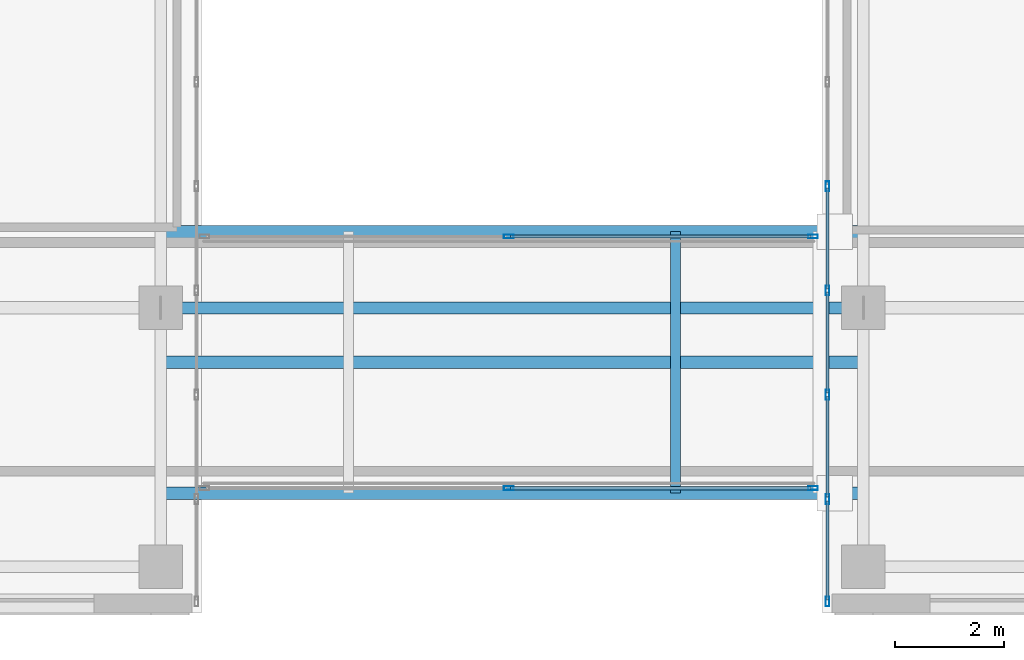
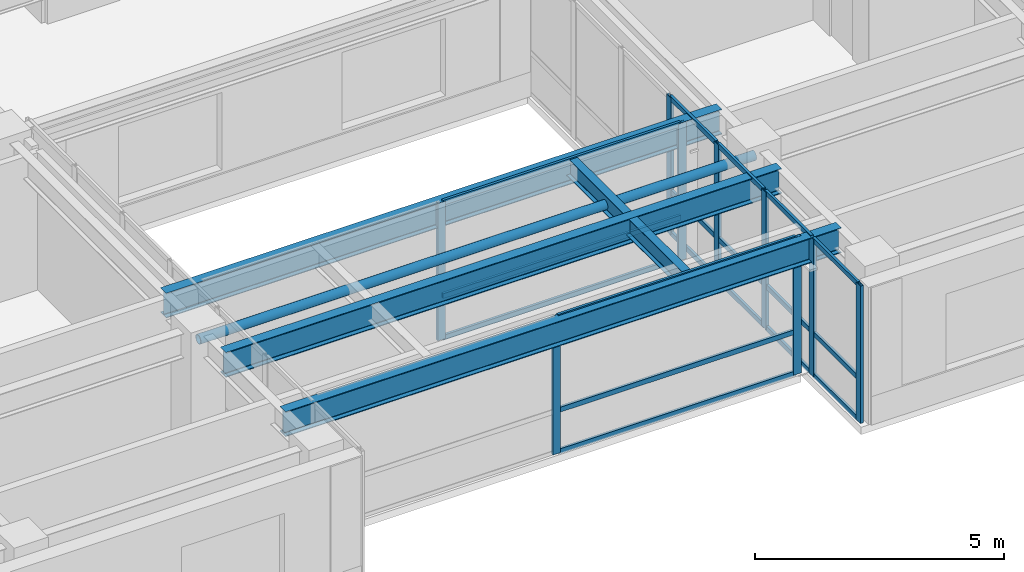
# One storey, part 4 of 26: 28 members, 4 beams, 3 elements without a shape of their own.
"""IFC4 building model written with IfcOpenShell, lengths in metres."""

from ifc_helpers import new_model, si_unit, direction, frame, origin, origin_2d, place, context, subcontext, project, spatial, hollow_rectangle, hollow_circle, i_section, extrude, source, transform, mapped, material, layer, layer_set, material_profile, profile_set, type_object, type_shapes, element, aggregate, save


model = new_model("IFC4")

# Units and contexts
model_context = context("Model", 3, precision=1e-05, world=origin(), true_north=direction((0.0, 1.0)))
body_context = subcontext(model_context, "Body", "Model", "MODEL_VIEW")
ifc_project = project(units=[si_unit("LENGTHUNIT", "METRE"), si_unit("AREAUNIT", "SQUARE_METRE"), si_unit("VOLUMEUNIT", "CUBIC_METRE"), si_unit("PLANEANGLEUNIT", "RADIAN"), si_unit("MASSUNIT", "GRAM", prefix="KILO")], contexts=[model_context])

# Site, building, storey
site_placement = place(None, origin())
site = spatial("IfcSite", under=ifc_project, at=site_placement, CompositionType="ELEMENT")
building_placement = place(site_placement, origin())
building = spatial("IfcBuilding", under=site, at=building_placement, Name="Tolvann Quenvar Hotel", CompositionType="ELEMENT")
storey_placement = place(building_placement, frame((0.0, 0.0, 168.35009765625)))
storey = spatial("IfcBuildingStorey", under=building, at=storey_placement, Name="L44", CompositionType="ELEMENT", Elevation=168.35009765625)

# Beams
ifc_material_1 = material(Name="Steel Grade 350", Category="steel")
ifc_material_profile_1 = material_profile(ifc_material_1, i_section(OverallWidth=0.22900390625, OverallDepth=0.612060546875, WebThickness=0.011962890625, FlangeThickness=0.01953125, FilletRadius=0.013916015625, at=origin_2d()), Name="610UB125")
ifc_profile_set_1 = profile_set([ifc_material_profile_1], Name="Steel Grade 350")
beam_type_1 = type_object("IfcBeamType", Name="BM_GIRD_610UB125", PredefinedType="BEAM", material=ifc_profile_set_1)
shared_shape_1 = source(origin(), body_context, "Body", "SweptSolid", [
    extrude(i_section(OverallWidth=0.22900390625, OverallDepth=0.612060546875, WebThickness=0.011962890625, FlangeThickness=0.01953125, FilletRadius=0.013916015625, at=origin_2d()), origin(), (0.0, 0.0, 1.0), 12.89990234375),
])
type_shapes(beam_type_1, [shared_shape_1])
for number, where, z_axis, x_axis, name in (
    (1, (22.050048828125, 4.800048828125, 3.06396484375), (1.0, 0.0, 0.0), (0.0, 1.0, 0.0), "Skybridge Longitudinal Support Girder (L45-S)"),
    (2, (22.050048828125, 9.60009765625, 3.06396484375), (1.0, 0.0, 0.0), (0.0, 1.0, 0.0), "Skybridge Longitudinal Support Girder (L45-N)"),
    (3, (22.050048828125, 7.199951171875, 3.06396484375), (1.0, 0.0, 0.0), (0.0, 1.0, 0.0), "Skybridge Central Support Girder (L45-M)"),
):
    element("IfcBeam", number, at=place(storey_placement, frame(where, z_axis=z_axis, x_axis=x_axis)), inside=storey, type_object=beam_type_1, Name=name, PredefinedType="BEAM", context=body_context, shape_type="MappedRepresentation", body=[
        mapped(shared_shape_1, transform((0.0, 0.0, 0.0), x_axis=(1.0, 0.0, 0.0), y_axis=(0.0, 1.0, 0.0), z_axis=(0.0, 0.0, 1.0), scale=1.0)),
    ])

# Member
ifc_material_2 = material(Name="Steel Grade 450 (C450L0)", Category="steel")
ifc_material_profile_2 = material_profile(ifc_material_2, hollow_circle(Radius=0.109619140625, WallThickness=0.00830078125, at=origin_2d()), Name="219.1x8.2CHS")
ifc_profile_set_2 = profile_set([ifc_material_profile_2], Name="Steel Grade 450 (C450L0)")
member_type_1 = type_object("IfcMemberType", Name="MEM_BRG_219CHS", PredefinedType="BRACE", material=ifc_profile_set_2)
shared_shape_2 = source(origin(), body_context, "Body", "SweptSolid", [
    extrude(hollow_circle(Radius=0.109619140625, WallThickness=0.00830078125, at=origin_2d()), origin(), (0.0, 0.0, 1.0), 12.89990234375),
])
type_shapes(member_type_1, [shared_shape_2])
member_1_placement = place(storey_placement, frame((22.050048828125, 8.199951171875, 3.02001953125), z_axis=(1.0, 0.0, 0.0), x_axis=(0.0, 1.0, 0.0)))
element("IfcMember", 4, at=member_1_placement, inside=storey, type_object=member_type_1, Name="Skybridge Tie Strut (L44)", PredefinedType="BRACE", context=body_context, shape_type="MappedRepresentation", body=[
    mapped(shared_shape_2, transform((0.0, 0.0, 0.0), x_axis=(1.0, 0.0, 0.0), y_axis=(0.0, 1.0, 0.0), z_axis=(0.0, 0.0, 1.0), scale=1.0)),
])

# Beam
ifc_material_profile_3 = material_profile(ifc_material_1, i_section(OverallWidth=0.18994140625, OverallDepth=0.4541015625, WebThickness=0.008544921875, FlangeThickness=0.0126953125, FilletRadius=0.011474609375, at=origin_2d()), Name="460UB67")
ifc_profile_set_3 = profile_set([ifc_material_profile_3], Name="Steel Grade 350")
beam_type_2 = type_object("IfcBeamType", Name="BM_JOIST_460UB67", PredefinedType="JOIST", material=ifc_profile_set_3)
shared_shape_3 = source(origin(), body_context, "Body", "SweptSolid", [
    extrude(i_section(OverallWidth=0.18994140625, OverallDepth=0.4541015625, WebThickness=0.008544921875, FlangeThickness=0.0126953125, FilletRadius=0.011474609375, at=origin_2d()), origin(), (0.0, 0.0, 1.0), 4.800048828125),
])
type_shapes(beam_type_2, [shared_shape_3])
beam_placement = place(storey_placement, frame((31.5, 4.800048828125, 3.142822265625), z_axis=(0.0, 1.0, 0.0), x_axis=(-1.0, 0.0, 0.0)))
element("IfcBeam", 5, at=beam_placement, inside=storey, type_object=beam_type_2, Name="Skybridge Transverse Diaphragm Beam E (L45)", PredefinedType="JOIST", context=body_context, shape_type="MappedRepresentation", body=[
    mapped(shared_shape_3, transform((0.0, 0.0, 0.0), x_axis=(1.0, 0.0, 0.0), y_axis=(0.0, 1.0, 0.0), z_axis=(0.0, 0.0, 1.0), scale=1.0)),
])

# Curtain wall, members
ifc_material_3 = material(Name="Thermally broken anodised architectural aluminium 6063-T6 and laminated low-E glass", Category="aluminium")
ifc_layer = layer(ifc_material_3, 0.179931640625)
ifc_layer_set = layer_set([ifc_layer], Name="Thermally broken anodised architectural aluminium 6063-T6 and laminated low-E glass")
curtain_wall_type = type_object("IfcCurtainWallType", Name="CW_SYS_SLOT_03", PredefinedType="USERDEFINED", material=ifc_layer_set)
curtain_wall_1_placement = place(storey_placement, origin())
curtain_wall_1 = element("IfcCurtainWall", 6, at=curtain_wall_1_placement, inside=storey, type_object=curtain_wall_type, Name="Curtain Wall CW-SLOT-03 (CWR-L44-E07)", ObjectType="UNITISED CURTAIN WALL", PredefinedType="USERDEFINED")
ifc_material_4 = material(Name="Anodised architectural aluminium 6063-T6 framing", Category="aluminium")
ifc_material_profile_4 = material_profile(ifc_material_4, hollow_rectangle(XDim=0.070068359375, YDim=0.179931640625, WallThickness=0.00390625, at=origin_2d()), Name="180x70x4RHS")
ifc_profile_set_4 = profile_set([ifc_material_profile_4], Name="Anodised architectural aluminium 6063-T6 framing")
member_type_2 = type_object("IfcMemberType", Name="CW_MULL_180x70", PredefinedType="MULLION", material=ifc_profile_set_4)
shared_shape_4 = source(origin(), body_context, "Body", "SweptSolid", [
    extrude(hollow_rectangle(XDim=0.070068359375, YDim=0.179931640625, WallThickness=0.00390625, at=origin_2d()), origin(), (0.0, 0.0, 1.0), 3.369873046875),
])
type_shapes(member_type_2, [shared_shape_4])
member_2_placement = place(storey_placement, frame((34.2900390625, 10.43212890625, 0.0), z_axis=(0.0, 0.0, 1.0), x_axis=(1.0, 0.0, 0.0)))
member_2 = element("IfcMember", 7, at=member_2_placement, type_object=member_type_2, Name="CW-SLOT-03 mullion 4", PredefinedType="MULLION", context=body_context, shape_type="MappedRepresentation", body=[
    mapped(shared_shape_4, transform((0.0, 0.0, 0.0), x_axis=(1.0, 0.0, 0.0), y_axis=(0.0, 1.0, 0.0), z_axis=(0.0, 0.0, 1.0), scale=1.0)),
])
member_3_placement = place(storey_placement, frame((34.2900390625, 8.517822265625, 0.0), z_axis=(0.0, 0.0, 1.0), x_axis=(1.0, 0.0, 0.0)))
member_3 = element("IfcMember", 8, at=member_3_placement, type_object=member_type_2, Name="CW-SLOT-03 mullion 5", PredefinedType="MULLION", context=body_context, shape_type="MappedRepresentation", body=[
    mapped(shared_shape_4, transform((0.0, 0.0, 0.0), x_axis=(1.0, 0.0, 0.0), y_axis=(0.0, 1.0, 0.0), z_axis=(0.0, 0.0, 1.0), scale=1.0)),
])
member_4_placement = place(storey_placement, frame((34.2900390625, 6.603515625, 0.0), z_axis=(0.0, 0.0, 1.0), x_axis=(1.0, 0.0, 0.0)))
member_4 = element("IfcMember", 9, at=member_4_placement, type_object=member_type_2, Name="CW-SLOT-03 mullion 6", PredefinedType="MULLION", context=body_context, shape_type="MappedRepresentation", body=[
    mapped(shared_shape_4, transform((0.0, 0.0, 0.0), x_axis=(1.0, 0.0, 0.0), y_axis=(0.0, 1.0, 0.0), z_axis=(0.0, 0.0, 1.0), scale=1.0)),
])
member_5_placement = place(storey_placement, frame((34.2900390625, 4.689208984375, 0.0), z_axis=(0.0, 0.0, 1.0), x_axis=(1.0, 0.0, 0.0)))
member_5 = element("IfcMember", 10, at=member_5_placement, type_object=member_type_2, Name="CW-SLOT-03 mullion 7", PredefinedType="MULLION", context=body_context, shape_type="MappedRepresentation", body=[
    mapped(shared_shape_4, transform((0.0, 0.0, 0.0), x_axis=(1.0, 0.0, 0.0), y_axis=(0.0, 1.0, 0.0), z_axis=(0.0, 0.0, 1.0), scale=1.0)),
])
member_6_placement = place(storey_placement, frame((34.2900390625, 2.81005859375, 0.0), z_axis=(0.0, 0.0, 1.0), x_axis=(1.0, 0.0, 0.0)))
member_6 = element("IfcMember", 11, at=member_6_placement, type_object=member_type_2, Name="CW-SLOT-03 mullion 8", PredefinedType="MULLION", context=body_context, shape_type="MappedRepresentation", body=[
    mapped(shared_shape_4, transform((0.0, 0.0, 0.0), x_axis=(1.0, 0.0, 0.0), y_axis=(0.0, 1.0, 0.0), z_axis=(0.0, 0.0, 1.0), scale=1.0)),
])

curtain_wall_2_placement = place(storey_placement, origin())
curtain_wall_2 = element("IfcCurtainWall", 12, at=curtain_wall_2_placement, inside=storey, type_object=curtain_wall_type, Name="Curtain Wall CW-SLOT-03 (CWR-BRG-L44-S)", ObjectType="UNITISED CURTAIN WALL", PredefinedType="USERDEFINED")
member_7_placement = place(storey_placement, frame((28.43994140625, 4.889892578125, 0.0), z_axis=(0.0, 0.0, 1.0), x_axis=(0.0, 1.0, 0.0)))
member_7 = element("IfcMember", 13, at=member_7_placement, type_object=member_type_2, Name="CW-SLOT-03 mullion 2", PredefinedType="MULLION", context=body_context, shape_type="MappedRepresentation", body=[
    mapped(shared_shape_4, transform((0.0, 0.0, 0.0), x_axis=(1.0, 0.0, 0.0), y_axis=(0.0, 1.0, 0.0), z_axis=(0.0, 0.0, 1.0), scale=1.0)),
])
member_8_placement = place(storey_placement, frame((34.02490234375, 4.889892578125, 0.0), z_axis=(0.0, 0.0, 1.0), x_axis=(0.0, 1.0, 0.0)))
member_8 = element("IfcMember", 14, at=member_8_placement, type_object=member_type_2, Name="CW-SLOT-03 mullion 3", PredefinedType="MULLION", context=body_context, shape_type="MappedRepresentation", body=[
    mapped(shared_shape_4, transform((0.0, 0.0, 0.0), x_axis=(1.0, 0.0, 0.0), y_axis=(0.0, 1.0, 0.0), z_axis=(0.0, 0.0, 1.0), scale=1.0)),
])

curtain_wall_3_placement = place(storey_placement, origin())
curtain_wall_3 = element("IfcCurtainWall", 15, at=curtain_wall_3_placement, inside=storey, type_object=curtain_wall_type, Name="Curtain Wall CW-SLOT-03 (CWR-BRG-L44-N)", ObjectType="UNITISED CURTAIN WALL", PredefinedType="USERDEFINED")
member_9_placement = place(storey_placement, frame((34.02490234375, 9.510009765625, 0.0), z_axis=(0.0, 0.0, 1.0), x_axis=(0.0, -1.0, 0.0)))
member_9 = element("IfcMember", 16, at=member_9_placement, type_object=member_type_2, Name="CW-SLOT-03 mullion 1", PredefinedType="MULLION", context=body_context, shape_type="MappedRepresentation", body=[
    mapped(shared_shape_4, transform((0.0, 0.0, 0.0), x_axis=(1.0, 0.0, 0.0), y_axis=(0.0, 1.0, 0.0), z_axis=(0.0, 0.0, 1.0), scale=1.0)),
])
member_10_placement = place(storey_placement, frame((28.43994140625, 9.510009765625, 0.0), z_axis=(0.0, 0.0, 1.0), x_axis=(0.0, -1.0, 0.0)))
member_10 = element("IfcMember", 17, at=member_10_placement, type_object=member_type_2, Name="CW-SLOT-03 mullion 2", PredefinedType="MULLION", context=body_context, shape_type="MappedRepresentation", body=[
    mapped(shared_shape_4, transform((0.0, 0.0, 0.0), x_axis=(1.0, 0.0, 0.0), y_axis=(0.0, 1.0, 0.0), z_axis=(0.0, 0.0, 1.0), scale=1.0)),
])

# Member
ifc_material_profile_5 = material_profile(ifc_material_4, hollow_rectangle(XDim=0.06005859375, YDim=0.1201171875, WallThickness=0.00341796875, at=origin_2d()), Name="120x60x3.5RHS")
ifc_profile_set_5 = profile_set([ifc_material_profile_5], Name="Anodised architectural aluminium 6063-T6 framing")
member_type_3 = type_object("IfcMemberType", Name="CW_TRAN_120x60", PredefinedType="USERDEFINED", material=ifc_profile_set_5)
shared_shape_5 = source(origin(), body_context, "Body", "SweptSolid", [
    extrude(hollow_rectangle(XDim=0.06005859375, YDim=0.1201171875, WallThickness=0.00341796875, at=origin_2d()), origin(), (0.0, 0.0, 1.0), 1.809326171875),
])
member_11_placement = place(storey_placement, frame((34.2900390625, 4.654296875, 0.02978515625), z_axis=(0.0, -1.0, 0.0), x_axis=(1.0, 0.0, 0.0)))
member_11 = element("IfcMember", 18, at=member_11_placement, type_object=member_type_3, Name="CW-SLOT-03 transom 7.1", ObjectType="TRANSOM", PredefinedType="USERDEFINED", context=body_context, shape_type="MappedRepresentation", body=[
    mapped(shared_shape_5, transform((0.0, 0.0, 0.0), x_axis=(1.0, 0.0, 0.0), y_axis=(0.0, 1.0, 0.0), z_axis=(0.0, 0.0, 1.0), scale=1.0)),
])

member_12_placement = place(storey_placement, frame((34.2900390625, 4.654296875, 1.0498046875), z_axis=(0.0, -1.0, 0.0), x_axis=(1.0, 0.0, 0.0)))
member_12 = element("IfcMember", 19, at=member_12_placement, type_object=member_type_3, Name="CW-SLOT-03 transom 7.2", ObjectType="TRANSOM", PredefinedType="USERDEFINED", context=body_context, shape_type="MappedRepresentation", body=[
    mapped(shared_shape_5, transform((0.0, 0.0, 0.0), x_axis=(1.0, 0.0, 0.0), y_axis=(0.0, 1.0, 0.0), z_axis=(0.0, 0.0, 1.0), scale=1.0)),
])

member_13_placement = place(storey_placement, frame((34.2900390625, 4.654296875, 3.33984375), z_axis=(0.0, -1.0, 0.0), x_axis=(1.0, 0.0, 0.0)))
member_13 = element("IfcMember", 20, at=member_13_placement, type_object=member_type_3, Name="CW-SLOT-03 transom 7.3", ObjectType="TRANSOM", PredefinedType="USERDEFINED", context=body_context, shape_type="MappedRepresentation", body=[
    mapped(shared_shape_5, transform((0.0, 0.0, 0.0), x_axis=(1.0, 0.0, 0.0), y_axis=(0.0, 1.0, 0.0), z_axis=(0.0, 0.0, 1.0), scale=1.0)),
])

shared_shape_6 = source(origin(), body_context, "Body", "SweptSolid", [
    extrude(hollow_rectangle(XDim=0.06005859375, YDim=0.1201171875, WallThickness=0.00341796875, at=origin_2d()), origin(), (0.0, 0.0, 1.0), 1.84423828125),
])
member_14_placement = place(storey_placement, frame((34.2900390625, 10.397216796875, 0.02978515625), z_axis=(0.0, -1.0, 0.0), x_axis=(1.0, 0.0, 0.0)))
member_14 = element("IfcMember", 21, at=member_14_placement, type_object=member_type_3, Name="CW-SLOT-03 transom 4.1", ObjectType="TRANSOM", PredefinedType="USERDEFINED", context=body_context, shape_type="MappedRepresentation", body=[
    mapped(shared_shape_6, transform((0.0, 0.0, 0.0), x_axis=(1.0, 0.0, 0.0), y_axis=(0.0, 1.0, 0.0), z_axis=(0.0, 0.0, 1.0), scale=1.0)),
])

member_15_placement = place(storey_placement, frame((34.2900390625, 10.397216796875, 1.0498046875), z_axis=(0.0, -1.0, 0.0), x_axis=(1.0, 0.0, 0.0)))
member_15 = element("IfcMember", 22, at=member_15_placement, type_object=member_type_3, Name="CW-SLOT-03 transom 4.2", ObjectType="TRANSOM", PredefinedType="USERDEFINED", context=body_context, shape_type="MappedRepresentation", body=[
    mapped(shared_shape_6, transform((0.0, 0.0, 0.0), x_axis=(1.0, 0.0, 0.0), y_axis=(0.0, 1.0, 0.0), z_axis=(0.0, 0.0, 1.0), scale=1.0)),
])

member_16_placement = place(storey_placement, frame((34.2900390625, 10.397216796875, 3.33984375), z_axis=(0.0, -1.0, 0.0), x_axis=(1.0, 0.0, 0.0)))
member_16 = element("IfcMember", 23, at=member_16_placement, type_object=member_type_3, Name="CW-SLOT-03 transom 4.3", ObjectType="TRANSOM", PredefinedType="USERDEFINED", context=body_context, shape_type="MappedRepresentation", body=[
    mapped(shared_shape_6, transform((0.0, 0.0, 0.0), x_axis=(1.0, 0.0, 0.0), y_axis=(0.0, 1.0, 0.0), z_axis=(0.0, 0.0, 1.0), scale=1.0)),
])

member_17_placement = place(storey_placement, frame((34.2900390625, 8.48291015625, 0.02978515625), z_axis=(0.0, -1.0, 0.0), x_axis=(1.0, 0.0, 0.0)))
member_17 = element("IfcMember", 24, at=member_17_placement, type_object=member_type_3, Name="CW-SLOT-03 transom 5.1", ObjectType="TRANSOM", PredefinedType="USERDEFINED", context=body_context, shape_type="MappedRepresentation", body=[
    mapped(shared_shape_6, transform((0.0, 0.0, 0.0), x_axis=(1.0, 0.0, 0.0), y_axis=(0.0, 1.0, 0.0), z_axis=(0.0, 0.0, 1.0), scale=1.0)),
])

member_18_placement = place(storey_placement, frame((34.2900390625, 8.48291015625, 1.0498046875), z_axis=(0.0, -1.0, 0.0), x_axis=(1.0, 0.0, 0.0)))
member_18 = element("IfcMember", 25, at=member_18_placement, type_object=member_type_3, Name="CW-SLOT-03 transom 5.2", ObjectType="TRANSOM", PredefinedType="USERDEFINED", context=body_context, shape_type="MappedRepresentation", body=[
    mapped(shared_shape_6, transform((0.0, 0.0, 0.0), x_axis=(1.0, 0.0, 0.0), y_axis=(0.0, 1.0, 0.0), z_axis=(0.0, 0.0, 1.0), scale=1.0)),
])

member_19_placement = place(storey_placement, frame((34.2900390625, 8.48291015625, 3.33984375), z_axis=(0.0, -1.0, 0.0), x_axis=(1.0, 0.0, 0.0)))
member_19 = element("IfcMember", 26, at=member_19_placement, type_object=member_type_3, Name="CW-SLOT-03 transom 5.3", ObjectType="TRANSOM", PredefinedType="USERDEFINED", context=body_context, shape_type="MappedRepresentation", body=[
    mapped(shared_shape_6, transform((0.0, 0.0, 0.0), x_axis=(1.0, 0.0, 0.0), y_axis=(0.0, 1.0, 0.0), z_axis=(0.0, 0.0, 1.0), scale=1.0)),
])

member_20_placement = place(storey_placement, frame((34.2900390625, 6.568603515625, 0.02978515625), z_axis=(0.0, -1.0, 0.0), x_axis=(1.0, 0.0, 0.0)))
member_20 = element("IfcMember", 27, at=member_20_placement, type_object=member_type_3, Name="CW-SLOT-03 transom 6.1", ObjectType="TRANSOM", PredefinedType="USERDEFINED", context=body_context, shape_type="MappedRepresentation", body=[
    mapped(shared_shape_6, transform((0.0, 0.0, 0.0), x_axis=(1.0, 0.0, 0.0), y_axis=(0.0, 1.0, 0.0), z_axis=(0.0, 0.0, 1.0), scale=1.0)),
])

member_21_placement = place(storey_placement, frame((34.2900390625, 6.568603515625, 1.0498046875), z_axis=(0.0, -1.0, 0.0), x_axis=(1.0, 0.0, 0.0)))
member_21 = element("IfcMember", 28, at=member_21_placement, type_object=member_type_3, Name="CW-SLOT-03 transom 6.2", ObjectType="TRANSOM", PredefinedType="USERDEFINED", context=body_context, shape_type="MappedRepresentation", body=[
    mapped(shared_shape_6, transform((0.0, 0.0, 0.0), x_axis=(1.0, 0.0, 0.0), y_axis=(0.0, 1.0, 0.0), z_axis=(0.0, 0.0, 1.0), scale=1.0)),
])

member_22_placement = place(storey_placement, frame((34.2900390625, 6.568603515625, 3.33984375), z_axis=(0.0, -1.0, 0.0), x_axis=(1.0, 0.0, 0.0)))
member_22 = element("IfcMember", 29, at=member_22_placement, type_object=member_type_3, Name="CW-SLOT-03 transom 6.3", ObjectType="TRANSOM", PredefinedType="USERDEFINED", context=body_context, shape_type="MappedRepresentation", body=[
    mapped(shared_shape_6, transform((0.0, 0.0, 0.0), x_axis=(1.0, 0.0, 0.0), y_axis=(0.0, 1.0, 0.0), z_axis=(0.0, 0.0, 1.0), scale=1.0)),
])

aggregate(curtain_wall_1, [member_2, member_3, member_4, member_5, member_6, member_14, member_15, member_16, member_17, member_18, member_19, member_20, member_21, member_22, member_11, member_12, member_13])

shared_shape_7 = source(origin(), body_context, "Body", "SweptSolid", [
    extrude(hollow_rectangle(XDim=0.06005859375, YDim=0.1201171875, WallThickness=0.00341796875, at=origin_2d()), origin(), (0.0, 0.0, 1.0), 5.514892578125),
])
type_shapes(member_type_3, [shared_shape_5, shared_shape_6, shared_shape_7])
member_23_placement = place(storey_placement, frame((28.47509765625, 4.889892578125, 0.02978515625), z_axis=(1.0, 0.0, 0.0), x_axis=(0.0, 1.0, 0.0)))
member_23 = element("IfcMember", 30, at=member_23_placement, type_object=member_type_3, Name="CW-SLOT-03 transom 2.1", ObjectType="TRANSOM", PredefinedType="USERDEFINED", context=body_context, shape_type="MappedRepresentation", body=[
    mapped(shared_shape_7, transform((0.0, 0.0, 0.0), x_axis=(1.0, 0.0, 0.0), y_axis=(0.0, 1.0, 0.0), z_axis=(0.0, 0.0, 1.0), scale=1.0)),
])

member_24_placement = place(storey_placement, frame((28.47509765625, 4.889892578125, 1.0498046875), z_axis=(1.0, 0.0, 0.0), x_axis=(0.0, 1.0, 0.0)))
member_24 = element("IfcMember", 31, at=member_24_placement, type_object=member_type_3, Name="CW-SLOT-03 transom 2.2", ObjectType="TRANSOM", PredefinedType="USERDEFINED", context=body_context, shape_type="MappedRepresentation", body=[
    mapped(shared_shape_7, transform((0.0, 0.0, 0.0), x_axis=(1.0, 0.0, 0.0), y_axis=(0.0, 1.0, 0.0), z_axis=(0.0, 0.0, 1.0), scale=1.0)),
])

member_25_placement = place(storey_placement, frame((28.47509765625, 4.889892578125, 3.33984375), z_axis=(1.0, 0.0, 0.0), x_axis=(0.0, 1.0, 0.0)))
member_25 = element("IfcMember", 32, at=member_25_placement, type_object=member_type_3, Name="CW-SLOT-03 transom 2.3", ObjectType="TRANSOM", PredefinedType="USERDEFINED", context=body_context, shape_type="MappedRepresentation", body=[
    mapped(shared_shape_7, transform((0.0, 0.0, 0.0), x_axis=(1.0, 0.0, 0.0), y_axis=(0.0, 1.0, 0.0), z_axis=(0.0, 0.0, 1.0), scale=1.0)),
])

aggregate(curtain_wall_2, [member_7, member_8, member_23, member_24, member_25])

member_26_placement = place(storey_placement, frame((33.989990234375, 9.510009765625, 0.02978515625), z_axis=(-1.0, 0.0, 0.0), x_axis=(0.0, -1.0, 0.0)))
member_26 = element("IfcMember", 33, at=member_26_placement, type_object=member_type_3, Name="CW-SLOT-03 transom 1.1", ObjectType="TRANSOM", PredefinedType="USERDEFINED", context=body_context, shape_type="MappedRepresentation", body=[
    mapped(shared_shape_7, transform((0.0, 0.0, 0.0), x_axis=(1.0, 0.0, 0.0), y_axis=(0.0, 1.0, 0.0), z_axis=(0.0, 0.0, 1.0), scale=1.0)),
])

member_27_placement = place(storey_placement, frame((33.989990234375, 9.510009765625, 1.0498046875), z_axis=(-1.0, 0.0, 0.0), x_axis=(0.0, -1.0, 0.0)))
member_27 = element("IfcMember", 34, at=member_27_placement, type_object=member_type_3, Name="CW-SLOT-03 transom 1.2", ObjectType="TRANSOM", PredefinedType="USERDEFINED", context=body_context, shape_type="MappedRepresentation", body=[
    mapped(shared_shape_7, transform((0.0, 0.0, 0.0), x_axis=(1.0, 0.0, 0.0), y_axis=(0.0, 1.0, 0.0), z_axis=(0.0, 0.0, 1.0), scale=1.0)),
])

member_28_placement = place(storey_placement, frame((33.989990234375, 9.510009765625, 3.33984375), z_axis=(-1.0, 0.0, 0.0), x_axis=(0.0, -1.0, 0.0)))
member_28 = element("IfcMember", 35, at=member_28_placement, type_object=member_type_3, Name="CW-SLOT-03 transom 1.3", ObjectType="TRANSOM", PredefinedType="USERDEFINED", context=body_context, shape_type="MappedRepresentation", body=[
    mapped(shared_shape_7, transform((0.0, 0.0, 0.0), x_axis=(1.0, 0.0, 0.0), y_axis=(0.0, 1.0, 0.0), z_axis=(0.0, 0.0, 1.0), scale=1.0)),
])

aggregate(curtain_wall_3, [member_9, member_10, member_26, member_27, member_28])

save(model, "model.ifc")
